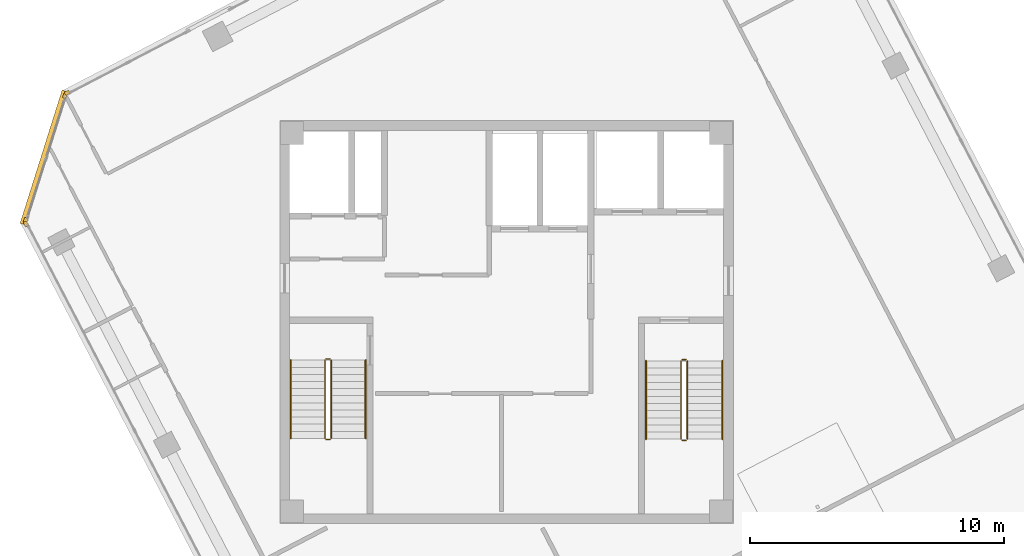
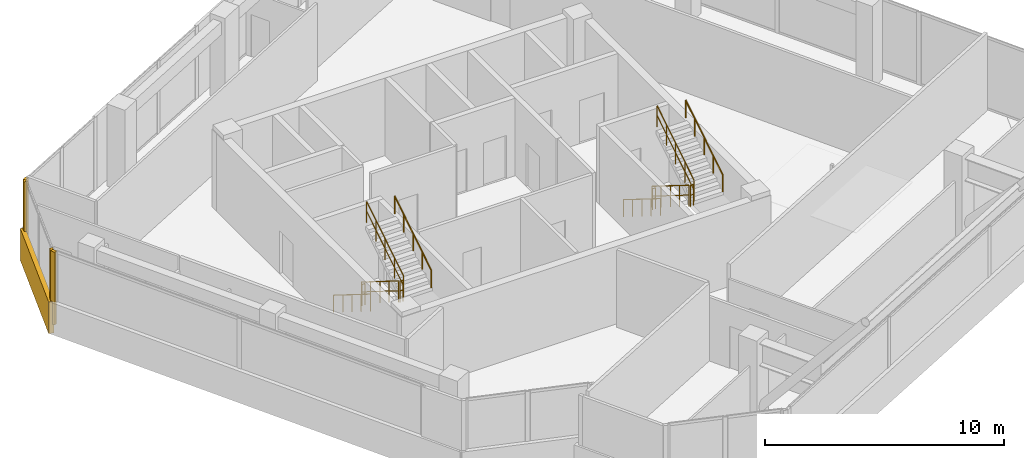
# One storey, part 16 of 17: 12 railings, 5 coverings.
"""IFC4 building model written with IfcOpenShell, lengths in metres."""

from ifc_helpers import new_model, si_unit, direction, frame, origin, origin_2d, place, context, subcontext, project, spatial, rectangle, circle, extrude, source, transform, mapped, material, layer, layer_set, type_object, element, save


model = new_model("IFC4")

# Units and contexts
model_context = context("Model", 3, precision=1e-05, world=origin(), true_north=direction((0.0, 1.0)))
body_context = subcontext(model_context, "Body", "Model", "MODEL_VIEW")
ifc_project = project(units=[si_unit("LENGTHUNIT", "METRE"), si_unit("AREAUNIT", "SQUARE_METRE"), si_unit("VOLUMEUNIT", "CUBIC_METRE"), si_unit("PLANEANGLEUNIT", "RADIAN"), si_unit("MASSUNIT", "GRAM", prefix="KILO")], contexts=[model_context])

# Site, building, storey
site_placement = place(None, origin())
site = spatial("IfcSite", under=ifc_project, at=site_placement, CompositionType="ELEMENT")
building_placement = place(site_placement, origin())
building = spatial("IfcBuilding", under=site, at=building_placement, Name="Torre Montelarca", CompositionType="ELEMENT")
storey_placement = place(building_placement, frame((0.0, 0.0, 332.39990234375)))
storey = spatial("IfcBuildingStorey", under=building, at=storey_placement, Name="L75", CompositionType="ELEMENT", Elevation=332.39990234375)

# Railings
ifc_material_1 = material(Name="Powder-coated steel ASTM A500 Grade C", Category="steel")
railing_type_1 = type_object("IfcRailingType", Name="RL-GUARD-1100", PredefinedType="BALUSTRADE", material=ifc_material_1)
railing_1_placement = place(storey_placement, frame((10.85009765625, 30.5, 0.175048828125)))
element("IfcRailing", 1, at=railing_1_placement, inside=storey, type_object=railing_type_1, Name="L75 ST1 stair guard 1", PredefinedType="BALUSTRADE", context=body_context, shape_type="SweptSolid", body=[
    extrude(circle(Radius=0.02392578125, at=origin_2d()), frame((0.0, 0.0, 1.076171875), z_axis=(0.0, -0.847998304005, 0.529998940003), x_axis=(1.0, 0.0, 0.0)), (0.0, 0.0, 1.0), 3.632080078125),
    extrude(circle(Radius=0.02099609375, at=origin_2d()), frame((0.0, 0.0, 0.572021484375), z_axis=(0.0, -0.847998304005, 0.529998940003), x_axis=(1.0, 0.0, 0.0)), (0.0, 0.0, 1.0), 3.632080078125),
    extrude(circle(Radius=0.02099609375, at=origin_2d()), origin(), (0.0, 0.0, 1.0), 1.052001953125),
    extrude(circle(Radius=0.02099609375, at=origin_2d()), frame((0.0, -0.77001953125, 0.481201171875)), (0.0, 0.0, 1.0), 1.052001953125),
    extrude(circle(Radius=0.02099609375, at=origin_2d()), frame((0.0, -1.5400390625, 0.96240234375)), (0.0, 0.0, 1.0), 1.052001953125),
    extrude(circle(Radius=0.02099609375, at=origin_2d()), frame((0.0, -2.31005859375, 1.44384765625)), (0.0, 0.0, 1.0), 1.052001953125),
    extrude(circle(Radius=0.02099609375, at=origin_2d()), frame((0.0, -3.080078125, 1.925048828125)), (0.0, 0.0, 1.0), 1.052001953125),
])
railing_2_placement = place(storey_placement, frame((10.89990234375, 27.3701171875, 2.10009765625)))
element("IfcRailing", 2, at=railing_2_placement, inside=storey, type_object=railing_type_1, Name="L75 ST1 stair guard 2", PredefinedType="BALUSTRADE", context=body_context, shape_type="SweptSolid", body=[
    extrude(circle(Radius=0.02392578125, at=origin_2d()), frame((0.0, 0.0, 1.076171875), z_axis=(1.0, 0.0, 0.0), x_axis=(0.0, 1.0, 0.0)), (0.0, 0.0, 1.0), 0.150146484375),
    extrude(circle(Radius=0.02099609375, at=origin_2d()), frame((0.0, 0.0, 0.572021484375), z_axis=(1.0, 0.0, 0.0), x_axis=(0.0, 1.0, 0.0)), (0.0, 0.0, 1.0), 0.150146484375),
    extrude(circle(Radius=0.02099609375, at=origin_2d()), origin(), (0.0, 0.0, 1.0), 1.052001953125),
    extrude(circle(Radius=0.02099609375, at=origin_2d()), frame((0.150146484375, 0.0, 0.0)), (0.0, 0.0, 1.0), 1.052001953125),
])
railing_3_placement = place(storey_placement, frame((11.10009765625, 27.419921875, 2.275146484375)))
element("IfcRailing", 3, at=railing_3_placement, inside=storey, type_object=railing_type_1, Name="L75 ST1 stair guard 3", PredefinedType="BALUSTRADE", context=body_context, shape_type="SweptSolid", body=[
    extrude(circle(Radius=0.02392578125, at=origin_2d()), frame((0.0, 0.0, 1.076171875), z_axis=(0.0, 0.847998304005, 0.529998940003), x_axis=(-1.0, 0.0, 0.0)), (0.0, 0.0, 1.0), 3.632080078125),
    extrude(circle(Radius=0.02099609375, at=origin_2d()), frame((0.0, 0.0, 0.572021484375), z_axis=(0.0, 0.847998304005, 0.529998940003), x_axis=(-1.0, 0.0, 0.0)), (0.0, 0.0, 1.0), 3.632080078125),
    extrude(circle(Radius=0.02099609375, at=origin_2d()), origin(), (0.0, 0.0, 1.0), 1.052001953125),
    extrude(circle(Radius=0.02099609375, at=origin_2d()), frame((0.0, 0.77001953125, 0.481201171875)), (0.0, 0.0, 1.0), 1.052001953125),
    extrude(circle(Radius=0.02099609375, at=origin_2d()), frame((0.0, 1.5400390625, 0.96240234375)), (0.0, 0.0, 1.0), 1.052001953125),
    extrude(circle(Radius=0.02099609375, at=origin_2d()), frame((0.0, 2.31005859375, 1.44384765625)), (0.0, 0.0, 1.0), 1.052001953125),
    extrude(circle(Radius=0.02099609375, at=origin_2d()), frame((0.0, 3.080078125, 1.925048828125)), (0.0, 0.0, 1.0), 1.052001953125),
])
railing_4_placement = place(storey_placement, frame((10.89990234375, 30.550048828125, 0.0)))
element("IfcRailing", 4, at=railing_4_placement, inside=storey, type_object=railing_type_1, Name="L75 ST1 stair guard 4", PredefinedType="BALUSTRADE", context=body_context, shape_type="SweptSolid", body=[
    extrude(circle(Radius=0.02392578125, at=origin_2d()), frame((0.0, 0.0, 1.076171875), z_axis=(1.0, 0.0, 0.0), x_axis=(0.0, 1.0, 0.0)), (0.0, 0.0, 1.0), 0.150146484375),
    extrude(circle(Radius=0.02099609375, at=origin_2d()), frame((0.0, 0.0, 0.572021484375), z_axis=(1.0, 0.0, 0.0), x_axis=(0.0, 1.0, 0.0)), (0.0, 0.0, 1.0), 0.150146484375),
    extrude(circle(Radius=0.02099609375, at=origin_2d()), origin(), (0.0, 0.0, 1.0), 1.052001953125),
    extrude(circle(Radius=0.02099609375, at=origin_2d()), frame((0.150146484375, 0.0, 0.0)), (0.0, 0.0, 1.0), 1.052001953125),
])
railing_5_placement = place(storey_placement, frame((24.8701171875, 30.469970703125, 0.175048828125)))
element("IfcRailing", 5, at=railing_5_placement, inside=storey, type_object=railing_type_1, Name="L75 ST2 stair guard 1", PredefinedType="BALUSTRADE", context=body_context, shape_type="SweptSolid", body=[
    extrude(circle(Radius=0.02392578125, at=origin_2d()), frame((0.0, 0.0, 1.076171875), z_axis=(0.0, -0.847998304005, 0.529998940003), x_axis=(1.0, 0.0, 0.0)), (0.0, 0.0, 1.0), 3.632080078125),
    extrude(circle(Radius=0.02099609375, at=origin_2d()), frame((0.0, 0.0, 0.572021484375), z_axis=(0.0, -0.847998304005, 0.529998940003), x_axis=(1.0, 0.0, 0.0)), (0.0, 0.0, 1.0), 3.632080078125),
    extrude(circle(Radius=0.02099609375, at=origin_2d()), origin(), (0.0, 0.0, 1.0), 1.052001953125),
    extrude(circle(Radius=0.02099609375, at=origin_2d()), frame((0.0, -0.77001953125, 0.481201171875)), (0.0, 0.0, 1.0), 1.052001953125),
    extrude(circle(Radius=0.02099609375, at=origin_2d()), frame((0.0, -1.5400390625, 0.96240234375)), (0.0, 0.0, 1.0), 1.052001953125),
    extrude(circle(Radius=0.02099609375, at=origin_2d()), frame((0.0, -2.31005859375, 1.44384765625)), (0.0, 0.0, 1.0), 1.052001953125),
    extrude(circle(Radius=0.02099609375, at=origin_2d()), frame((0.0, -3.080078125, 1.925048828125)), (0.0, 0.0, 1.0), 1.052001953125),
])
railing_6_placement = place(storey_placement, frame((24.919921875, 27.340087890625, 2.10009765625)))
element("IfcRailing", 6, at=railing_6_placement, inside=storey, type_object=railing_type_1, Name="L75 ST2 stair guard 2", PredefinedType="BALUSTRADE", context=body_context, shape_type="SweptSolid", body=[
    extrude(circle(Radius=0.02392578125, at=origin_2d()), frame((0.0, 0.0, 1.076171875), z_axis=(1.0, 0.0, 0.0), x_axis=(0.0, 1.0, 0.0)), (0.0, 0.0, 1.0), 0.150146484375),
    extrude(circle(Radius=0.02099609375, at=origin_2d()), frame((0.0, 0.0, 0.572021484375), z_axis=(1.0, 0.0, 0.0), x_axis=(0.0, 1.0, 0.0)), (0.0, 0.0, 1.0), 0.150146484375),
    extrude(circle(Radius=0.02099609375, at=origin_2d()), origin(), (0.0, 0.0, 1.0), 1.052001953125),
    extrude(circle(Radius=0.02099609375, at=origin_2d()), frame((0.150146484375, 0.0, 0.0)), (0.0, 0.0, 1.0), 1.052001953125),
])
railing_7_placement = place(storey_placement, frame((25.1201171875, 27.389892578125, 2.275146484375)))
element("IfcRailing", 7, at=railing_7_placement, inside=storey, type_object=railing_type_1, Name="L75 ST2 stair guard 3", PredefinedType="BALUSTRADE", context=body_context, shape_type="SweptSolid", body=[
    extrude(circle(Radius=0.02392578125, at=origin_2d()), frame((0.0, 0.0, 1.076171875), z_axis=(0.0, 0.847998304005, 0.529998940003), x_axis=(-1.0, 0.0, 0.0)), (0.0, 0.0, 1.0), 3.632080078125),
    extrude(circle(Radius=0.02099609375, at=origin_2d()), frame((0.0, 0.0, 0.572021484375), z_axis=(0.0, 0.847998304005, 0.529998940003), x_axis=(-1.0, 0.0, 0.0)), (0.0, 0.0, 1.0), 3.632080078125),
    extrude(circle(Radius=0.02099609375, at=origin_2d()), origin(), (0.0, 0.0, 1.0), 1.052001953125),
    extrude(circle(Radius=0.02099609375, at=origin_2d()), frame((0.0, 0.77001953125, 0.481201171875)), (0.0, 0.0, 1.0), 1.052001953125),
    extrude(circle(Radius=0.02099609375, at=origin_2d()), frame((0.0, 1.5400390625, 0.96240234375)), (0.0, 0.0, 1.0), 1.052001953125),
    extrude(circle(Radius=0.02099609375, at=origin_2d()), frame((0.0, 2.31005859375, 1.44384765625)), (0.0, 0.0, 1.0), 1.052001953125),
    extrude(circle(Radius=0.02099609375, at=origin_2d()), frame((0.0, 3.080078125, 1.925048828125)), (0.0, 0.0, 1.0), 1.052001953125),
])
railing_8_placement = place(storey_placement, frame((24.919921875, 30.52001953125, 0.0)))
element("IfcRailing", 8, at=railing_8_placement, inside=storey, type_object=railing_type_1, Name="L75 ST2 stair guard 4", PredefinedType="BALUSTRADE", context=body_context, shape_type="SweptSolid", body=[
    extrude(circle(Radius=0.02392578125, at=origin_2d()), frame((0.0, 0.0, 1.076171875), z_axis=(1.0, 0.0, 0.0), x_axis=(0.0, 1.0, 0.0)), (0.0, 0.0, 1.0), 0.150146484375),
    extrude(circle(Radius=0.02099609375, at=origin_2d()), frame((0.0, 0.0, 0.572021484375), z_axis=(1.0, 0.0, 0.0), x_axis=(0.0, 1.0, 0.0)), (0.0, 0.0, 1.0), 0.150146484375),
    extrude(circle(Radius=0.02099609375, at=origin_2d()), origin(), (0.0, 0.0, 1.0), 1.052001953125),
    extrude(circle(Radius=0.02099609375, at=origin_2d()), frame((0.150146484375, 0.0, 0.0)), (0.0, 0.0, 1.0), 1.052001953125),
])
ifc_material_2 = material(Name="Brushed stainless steel AISI 316", Category="steel")
railing_type_2 = type_object("IfcRailingType", Name="RL-HANDRAIL-900", PredefinedType="HANDRAIL", material=ifc_material_2)
railing_9_placement = place(storey_placement, frame((9.5, 30.5, 0.175048828125)))
element("IfcRailing", 9, at=railing_9_placement, inside=storey, type_object=railing_type_2, Name="L75 ST1 stair handrail 1", PredefinedType="HANDRAIL", context=body_context, shape_type="SweptSolid", body=[
    extrude(circle(Radius=0.02392578125, at=origin_2d()), frame((0.0, 0.0, 0.8759765625), z_axis=(0.0, -0.847998304005, 0.529998940003), x_axis=(1.0, 0.0, 0.0)), (0.0, 0.0, 1.0), 3.632080078125),
    extrude(circle(Radius=0.02099609375, at=origin_2d()), origin(), (0.0, 0.0, 1.0), 0.851806640625),
    extrude(circle(Radius=0.02099609375, at=origin_2d()), frame((0.0, -0.77001953125, 0.481201171875)), (0.0, 0.0, 1.0), 0.851806640625),
    extrude(circle(Radius=0.02099609375, at=origin_2d()), frame((0.0, -1.5400390625, 0.96240234375)), (0.0, 0.0, 1.0), 0.851806640625),
    extrude(circle(Radius=0.02099609375, at=origin_2d()), frame((0.0, -2.31005859375, 1.44384765625)), (0.0, 0.0, 1.0), 0.851806640625),
    extrude(circle(Radius=0.02099609375, at=origin_2d()), frame((0.0, -3.080078125, 1.925048828125)), (0.0, 0.0, 1.0), 0.851806640625),
])
railing_10_placement = place(storey_placement, frame((12.449951171875, 27.419921875, 2.275146484375)))
element("IfcRailing", 10, at=railing_10_placement, inside=storey, type_object=railing_type_2, Name="L75 ST1 stair handrail 2", PredefinedType="HANDRAIL", context=body_context, shape_type="SweptSolid", body=[
    extrude(circle(Radius=0.02392578125, at=origin_2d()), frame((0.0, 0.0, 0.8759765625), z_axis=(0.0, 0.847998304005, 0.529998940003), x_axis=(-1.0, 0.0, 0.0)), (0.0, 0.0, 1.0), 3.632080078125),
    extrude(circle(Radius=0.02099609375, at=origin_2d()), origin(), (0.0, 0.0, 1.0), 0.851806640625),
    extrude(circle(Radius=0.02099609375, at=origin_2d()), frame((0.0, 0.77001953125, 0.481201171875)), (0.0, 0.0, 1.0), 0.851806640625),
    extrude(circle(Radius=0.02099609375, at=origin_2d()), frame((0.0, 1.5400390625, 0.96240234375)), (0.0, 0.0, 1.0), 0.851806640625),
    extrude(circle(Radius=0.02099609375, at=origin_2d()), frame((0.0, 2.31005859375, 1.44384765625)), (0.0, 0.0, 1.0), 0.851806640625),
    extrude(circle(Radius=0.02099609375, at=origin_2d()), frame((0.0, 3.080078125, 1.925048828125)), (0.0, 0.0, 1.0), 0.851806640625),
])
railing_11_placement = place(storey_placement, frame((23.489990234375, 30.469970703125, 0.175048828125)))
element("IfcRailing", 11, at=railing_11_placement, inside=storey, type_object=railing_type_2, Name="L75 ST2 stair handrail 1", PredefinedType="HANDRAIL", context=body_context, shape_type="SweptSolid", body=[
    extrude(circle(Radius=0.02392578125, at=origin_2d()), frame((0.0, 0.0, 0.8759765625), z_axis=(0.0, -0.847998304005, 0.529998940003), x_axis=(1.0, 0.0, 0.0)), (0.0, 0.0, 1.0), 3.632080078125),
    extrude(circle(Radius=0.02099609375, at=origin_2d()), origin(), (0.0, 0.0, 1.0), 0.851806640625),
    extrude(circle(Radius=0.02099609375, at=origin_2d()), frame((0.0, -0.77001953125, 0.481201171875)), (0.0, 0.0, 1.0), 0.851806640625),
    extrude(circle(Radius=0.02099609375, at=origin_2d()), frame((0.0, -1.5400390625, 0.96240234375)), (0.0, 0.0, 1.0), 0.851806640625),
    extrude(circle(Radius=0.02099609375, at=origin_2d()), frame((0.0, -2.31005859375, 1.44384765625)), (0.0, 0.0, 1.0), 0.851806640625),
    extrude(circle(Radius=0.02099609375, at=origin_2d()), frame((0.0, -3.080078125, 1.925048828125)), (0.0, 0.0, 1.0), 0.851806640625),
])
railing_12_placement = place(storey_placement, frame((26.5, 27.389892578125, 2.275146484375)))
element("IfcRailing", 12, at=railing_12_placement, inside=storey, type_object=railing_type_2, Name="L75 ST2 stair handrail 2", PredefinedType="HANDRAIL", context=body_context, shape_type="SweptSolid", body=[
    extrude(circle(Radius=0.02392578125, at=origin_2d()), frame((0.0, 0.0, 0.8759765625), z_axis=(0.0, 0.847998304005, 0.529998940003), x_axis=(-1.0, 0.0, 0.0)), (0.0, 0.0, 1.0), 3.632080078125),
    extrude(circle(Radius=0.02099609375, at=origin_2d()), origin(), (0.0, 0.0, 1.0), 0.851806640625),
    extrude(circle(Radius=0.02099609375, at=origin_2d()), frame((0.0, 0.77001953125, 0.481201171875)), (0.0, 0.0, 1.0), 0.851806640625),
    extrude(circle(Radius=0.02099609375, at=origin_2d()), frame((0.0, 1.5400390625, 0.96240234375)), (0.0, 0.0, 1.0), 0.851806640625),
    extrude(circle(Radius=0.02099609375, at=origin_2d()), frame((0.0, 2.31005859375, 1.44384765625)), (0.0, 0.0, 1.0), 0.851806640625),
    extrude(circle(Radius=0.02099609375, at=origin_2d()), frame((0.0, 3.080078125, 1.925048828125)), (0.0, 0.0, 1.0), 0.851806640625),
])

# Coverings
ifc_material_3 = material(Name="Bush-hammered warm white precast concrete C45/55", Category="concrete")
ifc_layer = layer(ifc_material_3, 0.139892578125, Name="Bush-hammered warm white precast concrete C45/55", Category="concrete")
ifc_layer_set = layer_set([ifc_layer], Name="Bush-hammered warm white precast concrete C45/55")
covering_type = type_object("IfcCoveringType", Name="COV-TRAY-CLAD", PredefinedType="CLADDING", material=ifc_layer_set)
shared_shape_1 = source(origin(), body_context, "Body", "SweptSolid", [
    extrude(rectangle(XDim=0.199951171875, YDim=0.139892578125, at=origin_2d()), origin(), (0.0, 0.0, 1.0), 3.719970703125),
])
for number, where, z_axis, x_axis, name in (
    (13, (-0.9287109375, 35.864501953125, 0.0), (0.0, 0.0, 1.0), (0.461748613235, -0.887010833178, 0.0), "L75 Architectural Column Pier Cladding E01-1"),
    (14, (0.698486328125, 41.024658203125, 0.0), (0.0, 0.0, 1.0), (-0.887010833178, -0.461748613235, 0.0), "L75 Architectural Column Pier Cladding E10-5"),
    (15, (0.60498046875, 40.913330078125, 0.0), (0.0, 0.0, 1.0), (-0.30070080585, -0.953718525227, 0.0), "L75 Architectural Column Pier Cladding E11-1"),
    (16, (-0.941162109375, 36.009033203125, 0.0), (0.0, 0.0, 1.0), (-0.30070080585, -0.953718525227, 0.0), "L75 Architectural Column Pier Cladding E11-2"),
):
    element("IfcCovering", number, at=place(storey_placement, frame(where, z_axis=z_axis, x_axis=x_axis)), inside=storey, type_object=covering_type, Name=name, PredefinedType="CLADDING", context=body_context, shape_type="MappedRepresentation", body=[
        mapped(shared_shape_1, transform((0.0, 0.0, 0.0), scale=1.0)),
    ])
shared_shape_2 = source(origin(), body_context, "Body", "SweptSolid", [
    extrude(rectangle(XDim=5.493896484375, YDim=0.219970703125, at=origin_2d()), origin(), (0.0, 0.0, 1.0), 1.6201171875),
])
covering_placement = place(storey_placement, frame((-0.225341796875, 38.479248046875, -0.449951171875), z_axis=(0.0, 0.0, 1.0), x_axis=(-0.300705799504, -0.953716950748, 0.0)))
element("IfcCovering", 17, at=covering_placement, inside=storey, type_object=covering_type, Name="L75 Architectural White Spandrel Tray Band TRYBOT-11", PredefinedType="CLADDING", context=body_context, shape_type="MappedRepresentation", body=[
    mapped(shared_shape_2, transform((0.0, 0.0, 0.0), scale=1.0)),
])

save(model, "model.ifc")
